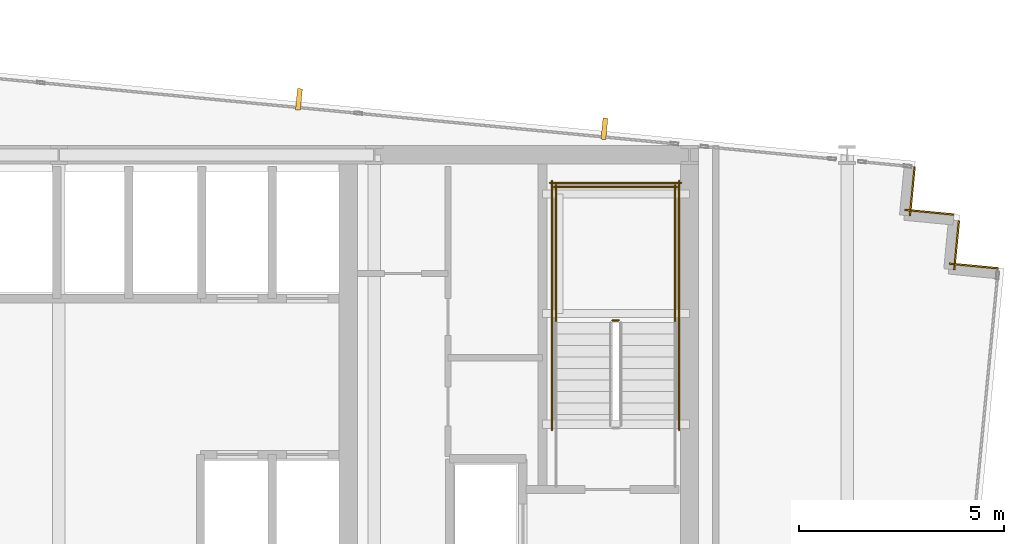
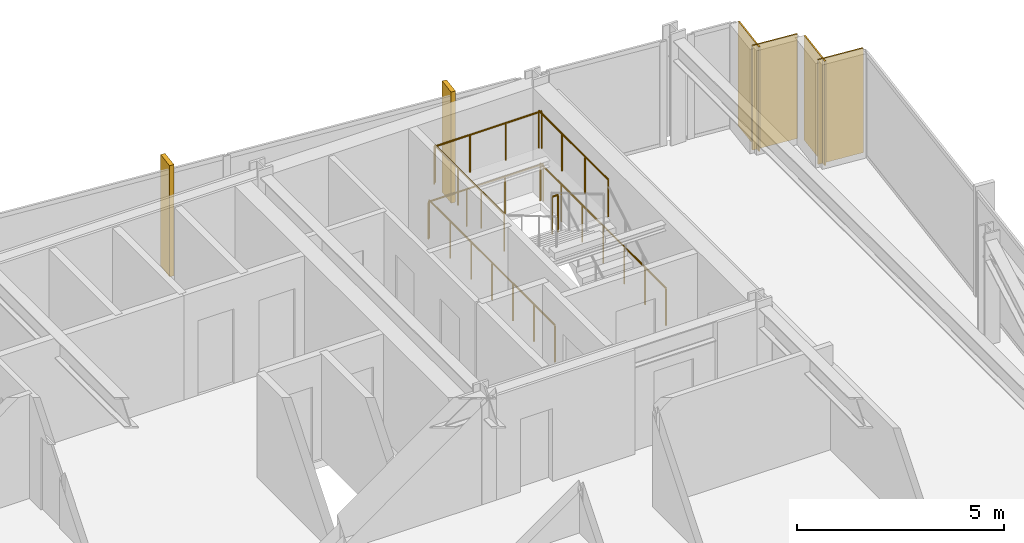
# One storey, part 36 of 36: 7 railings, 4 coverings, 2 shading devices.
"""IFC4 building model written with IfcOpenShell, lengths in metres."""

import ifcopenshell
import ifcopenshell.guid

model = None  # the IFC model being written
_history = None  # IfcOwnerHistory: only IFC2X3 demands one
_inside = {}  # id of a spatial element -> (the spatial element, [elements in it])
_under = {}  # id of a project, library or spatial element -> (it, [spatial elements below it])
_declared = {}  # id of a project -> (the project, [libraries it declares])
_typed = {}  # id of a type object -> (the type object, [elements of that type])
_made_of = {}  # id of a material, layer set ... -> (it, [elements and type objects made of it])


def new_model(schema):
    """Start an empty IFC model of exactly this schema.

    Asked for "IFC4X3", IfcOpenShell would pick the latest addendum, in which some entities
    have other attributes; the version numbers below select the first issue.
    IFC2X3 requires an IfcOwnerHistory on every rooted entity: one is made here for all.
    """
    global model, _history
    if schema == "IFC4X3":
        model = ifcopenshell.file(schema_version=(4, 3, 0, 0))
    else:
        model = ifcopenshell.file(schema=schema)
    _inside.clear()
    _under.clear()
    _declared.clear()
    _typed.clear()
    _made_of.clear()
    _history = None
    if model.schema == "IFC2X3":
        org = make("IfcOrganization", Name="unknown")
        user = make(
            "IfcPersonAndOrganization",
            ThePerson=make("IfcPerson", FamilyName="unknown"),
            TheOrganization=org,
        )
        app = make(
            "IfcApplication",
            ApplicationDeveloper=org,
            Version="unknown",
            ApplicationFullName="unknown",
            ApplicationIdentifier="unknown",
        )
        _history = make(
            "IfcOwnerHistory",
            OwningUser=user,
            OwningApplication=app,
            ChangeAction="ADDED",
            CreationDate=0,
        )
    return model


def make(cls, **values):
    """One entity of the class cls with the attributes given. An attribute that is None is left unset."""
    return model.create_entity(
        cls, **{name: value for name, value in values.items() if value is not None}
    )


def rooted(cls, **values):
    """An entity with a GlobalId (a new one), such as an element, a storey or a relation."""
    return make(cls, GlobalId=ifcopenshell.guid.new(), OwnerHistory=_history, **values)


def si_unit(unit_type, name, prefix=None):
    """IfcSIUnit, for example si_unit("LENGTHUNIT", "METRE", prefix="MILLI")."""
    return make("IfcSIUnit", UnitType=unit_type, Prefix=prefix, Name=name)


def assignment(units):
    """IfcUnitAssignment: the units of a project."""
    return None if units is None else make("IfcUnitAssignment", Units=units)


def point(xyz):
    """IfcCartesianPoint."""
    return None if xyz is None else make("IfcCartesianPoint", Coordinates=xyz)


def direction(xyz):
    """IfcDirection."""
    return None if xyz is None else make("IfcDirection", DirectionRatios=xyz)


def frame(location, z_axis=None, x_axis=None):
    """IfcAxis2Placement3D, a coordinate frame: its origin and axes. An axis left out is left unset."""
    return make(
        "IfcAxis2Placement3D",
        Location=point(location),
        Axis=direction(z_axis),
        RefDirection=direction(x_axis),
    )


def frame_2d(location, x_axis=None):
    """IfcAxis2Placement2D, a coordinate frame in the plane: its origin and x axis."""
    return make(
        "IfcAxis2Placement2D", Location=point(location), RefDirection=direction(x_axis)
    )


def origin():
    """The frame at (0, 0, 0) with its axes left unset."""
    return frame((0.0, 0.0, 0.0))


def origin_2d():
    """The frame at (0, 0) in the plane with its x axis left unset."""
    return frame_2d((0.0, 0.0))


def place(relative_to, where):
    """IfcLocalPlacement: puts the frame where relative to a parent placement (None: the world)."""
    return make(
        "IfcLocalPlacement", PlacementRelTo=relative_to, RelativePlacement=where
    )


def context(
    kind, dimensions, precision=None, world=None, true_north=None, identifier=None
):
    """IfcGeometricRepresentationContext, for example the 3D "Model" context."""
    return make(
        "IfcGeometricRepresentationContext",
        ContextIdentifier=identifier,
        ContextType=kind,
        CoordinateSpaceDimension=dimensions,
        Precision=precision,
        WorldCoordinateSystem=world,
        TrueNorth=true_north,
    )


def subcontext(parent, identifier, kind, view, scale=None):
    """IfcGeometricRepresentationSubContext, for example "Body" below "Model"."""
    return make(
        "IfcGeometricRepresentationSubContext",
        ContextIdentifier=identifier,
        ContextType=kind,
        ParentContext=parent,
        TargetScale=scale,
        TargetView=view,
    )


def project(units=None, contexts=None):
    """IfcProject with its units and contexts."""
    return rooted(
        "IfcProject",
        Name="project",
        RepresentationContexts=contexts,
        UnitsInContext=assignment(units),
    )


def spatial(cls, under=None, at=None, **own):
    """A site, building, storey or space (cls), placed at a placement, below another one or the project."""
    s = rooted(cls, ObjectPlacement=at, **own)
    if under is not None:
        _under.setdefault(under.id(), (under, []))[1].append(s)
    return s


def profile(cls, at=None, kind="AREA", **sizes):
    """A parametric profile (cls). Its sizes go by their IFC names, for example OverallWidth=200.0."""
    return make(cls, ProfileType=kind, Position=at, **sizes)


def rectangle(**sizes):
    """IfcRectangleProfileDef."""
    return profile("IfcRectangleProfileDef", **sizes)


def circle(**sizes):
    """IfcCircleProfileDef."""
    return profile("IfcCircleProfileDef", **sizes)


def extrude(swept, where, along, depth):
    """IfcExtrudedAreaSolid: the profile swept, set in the frame where, extruded along a direction by depth."""
    return make(
        "IfcExtrudedAreaSolid",
        SweptArea=swept,
        Position=where,
        ExtrudedDirection=direction(along),
        Depth=depth,
    )


def shape(context_of_items, identifier, shape_type, items):
    """IfcShapeRepresentation: the items that make up one representation, for example the "Body"."""
    return make(
        "IfcShapeRepresentation",
        ContextOfItems=context_of_items,
        RepresentationIdentifier=identifier,
        RepresentationType=shape_type,
        Items=items,
    )


def material(Name=None, Category=None):
    """IfcMaterial."""
    return make("IfcMaterial", Name=Name, Category=Category)


def layer(
    of_material, thickness, ventilated=None, Name=None, Category=None, Priority=None
):
    """IfcMaterialLayer: one layer of a wall or slab, of a material (None: an air gap)."""
    return make(
        "IfcMaterialLayer",
        Material=of_material,
        LayerThickness=thickness,
        IsVentilated=ventilated,
        Name=Name,
        Category=Category,
        Priority=Priority,
    )


def layer_set(layers, Name=None):
    """IfcMaterialLayerSet."""
    return make("IfcMaterialLayerSet", MaterialLayers=layers, LayerSetName=Name)


def made_of(thing, what):
    """Note that an element or type object is made of a material, layer set ...; save() writes the relation."""
    if what is not None:
        _made_of.setdefault(what.id(), (what, []))[1].append(thing)
    return thing


def type_object(cls, material=None, **own):
    """A type object (cls), such as IfcWallType, which elements share."""
    return made_of(rooted(cls, **own), material)


def element(
    cls,
    number,
    at=None,
    inside=None,
    cuts=None,
    type_object=None,
    material=None,
    context=None,
    identifier="Body",
    shape_type=None,
    held_by="IfcProductDefinitionShape",
    body=None,
    shapes=None,
    **own,
):
    """One element of the class cls, such as IfcWall. Its Tag is "e" and its number.

    at: its placement. inside: the storey or other place that contains it. cuts: it is an
    opening in that element (IfcRelVoidsElement). A single representation is given by context,
    identifier, shape_type and body (its items); several are given by shapes. held_by: the class
    of the entity that holds the representations. save() writes the other relations.
    """
    e = rooted(cls, Tag="e%d" % number, ObjectPlacement=at, **own)
    if body is not None:
        shapes = [shape(context, identifier, shape_type, body)]
    if shapes is not None:
        e.Representation = make(held_by, Representations=shapes)
    if inside is not None:
        _inside.setdefault(inside.id(), (inside, []))[1].append(e)
    if cuts is not None:
        rooted(
            "IfcRelVoidsElement", RelatingBuildingElement=cuts, RelatedOpeningElement=e
        )
    if type_object is not None:
        _typed.setdefault(type_object.id(), (type_object, []))[1].append(e)
    return made_of(e, material)


def aggregate(whole, parts):
    """IfcRelAggregates: a whole, such as a stair, and the parts it consists of."""
    return rooted("IfcRelAggregates", RelatingObject=whole, RelatedObjects=parts)


def save(model, path):
    """Write the relations noted so far, then the file.

    IfcRelAggregates (storeys below a building ...), IfcRelContainedInSpatialStructure (elements
    in a storey), IfcRelDefinesByType, IfcRelAssociatesMaterial and IfcRelDeclares: one each for
    every whole, place, type object, material and project.
    """
    for whole, parts in _under.values():
        aggregate(whole, parts)
    for where, things in _inside.values():
        rooted(
            "IfcRelContainedInSpatialStructure",
            RelatedElements=things,
            RelatingStructure=where,
        )
    for kind, things in _typed.values():
        rooted("IfcRelDefinesByType", RelatedObjects=things, RelatingType=kind)
    for what, things in _made_of.values():
        rooted("IfcRelAssociatesMaterial", RelatedObjects=things, RelatingMaterial=what)
    for by, libraries in _declared.values():
        rooted("IfcRelDeclares", RelatingContext=by, RelatedDefinitions=libraries)
    model.write(path)


model = new_model("IFC4")

# Units and contexts
model_context = context("Model", 3, precision=1e-05, world=origin(), true_north=direction((0.0, 1.0)))
body_context = subcontext(model_context, "Body", "Model", "MODEL_VIEW")
ifc_project = project(units=[si_unit("LENGTHUNIT", "METRE"), si_unit("AREAUNIT", "SQUARE_METRE"), si_unit("VOLUMEUNIT", "CUBIC_METRE"), si_unit("PLANEANGLEUNIT", "RADIAN"), si_unit("MASSUNIT", "GRAM", prefix="KILO")], contexts=[model_context])

# Site, building, storey
site_placement = place(None, origin())
site = spatial("IfcSite", under=ifc_project, at=site_placement, CompositionType="ELEMENT")
building_placement = place(site_placement, origin())
building = spatial("IfcBuilding", under=site, at=building_placement, Name="Yelkora Congress Tower", CompositionType="ELEMENT")
storey_placement = place(building_placement, frame((0.0, 0.0, 152.300048828125)))
storey = spatial("IfcBuildingStorey", under=building, at=storey_placement, Name="L41", CompositionType="ELEMENT", Elevation=152.300048828125)

# Coverings
ifc_material_1 = material(Name="Anatolian bush-hammered limestone", Category="masonry")
ifc_layer_1 = layer(ifc_material_1, 0.0400390625)
ifc_layer_set_1 = layer_set([ifc_layer_1], Name="Anatolian bush-hammered limestone")
covering_type = type_object("IfcCoveringType", Name="COV-CLAD-SPANDREL-40", PredefinedType="CLADDING", material=ifc_layer_set_1)
covering_1_placement = place(storey_placement, frame((59.2431640625, 45.909912109375, 0.0), z_axis=(0.0, 0.0, 1.0), x_axis=(-0.095836473879, -0.995397091755, 0.0)))
element("IfcCovering", 1, at=covering_1_placement, inside=storey, type_object=covering_type, Name="L41 Anatolian Limestone Cladding EW-L41-SR11", PredefinedType="CLADDING", context=body_context, shape_type="SweptSolid", body=[
    extrude(rectangle(XDim=1.199951171875, YDim=0.0400390625, at=frame_2d((0.60009765625, 0.0))), origin(), (0.0, 0.0, 1.0), 3.079833984375),
])
for number, where, z_axis, x_axis, name in (
    (2, (59.006591796875, 44.86279296875, 0.0), (0.0, 0.0, 1.0), (0.995398960025, -0.095817067274, 0.0), "L41 Anatolian Limestone Cladding EW-L41-SR12"),
    (3, (60.322509765625, 44.6005859375, 0.0), (0.0, 0.0, 1.0), (-0.095817067274, -0.995398960025, 0.0), "L41 Anatolian Limestone Cladding EW-L41-SR13"),
):
    element("IfcCovering", number, at=place(storey_placement, frame(where, z_axis=z_axis, x_axis=x_axis)), inside=storey, type_object=covering_type, Name=name, PredefinedType="CLADDING", context=body_context, shape_type="SweptSolid", body=[
        extrude(rectangle(XDim=1.2001953125, YDim=0.0400390625, at=frame_2d((0.60009765625, 0.0))), origin(), (0.0, 0.0, 1.0), 3.079833984375),
    ])
covering_2_placement = place(storey_placement, frame((60.086181640625, 43.55322265625, 0.0), z_axis=(0.0, 0.0, 1.0), x_axis=(0.995397091755, -0.095836473879, 0.0)))
element("IfcCovering", 4, at=covering_2_placement, inside=storey, type_object=covering_type, Name="L41 Anatolian Limestone Cladding EW-L41-SR14", PredefinedType="CLADDING", context=body_context, shape_type="SweptSolid", body=[
    extrude(rectangle(XDim=1.199951171875, YDim=0.0400390625, at=frame_2d((0.60009765625, 0.0))), origin(), (0.0, 0.0, 1.0), 3.079833984375),
])

# Railings
ifc_material_2 = material(Name="Painted galvanised steel stair well guard with vertical infill", Category="steel")
ifc_layer_2 = layer(ifc_material_2, 0.06005859375)
ifc_layer_set_2 = layer_set([ifc_layer_2], Name="Painted galvanised steel stair well guard with vertical infill")
railing_type = type_object("IfcRailingType", Name="RAIL-STAIR-GUARD-1120", PredefinedType="GUARDRAIL", material=ifc_layer_set_2)
railing_1_placement = place(storey_placement, frame((52.0400390625, 42.169921875, 1.64990234375)))
element("IfcRailing", 5, at=railing_1_placement, inside=storey, type_object=railing_type, Name="ST-02 L41 Stair Well Guardrail 2", PredefinedType="GUARDRAIL", context=body_context, shape_type="SweptSolid", body=[
    extrude(circle(Radius=0.02392578125, at=origin_2d()), frame((0.0, 0.0, 1.09619140625), z_axis=(-1.0, 0.0, 0.0), x_axis=(0.0, -1.0, 0.0)), (0.0, 0.0, 1.0), 0.16015625),
    extrude(circle(Radius=0.02099609375, at=origin_2d()), origin(), (0.0, 0.0, 1.0), 1.072021484375),
    extrude(circle(Radius=0.02099609375, at=origin_2d()), frame((-0.16015625, 0.0, 0.0)), (0.0, 0.0, 1.0), 1.072021484375),
])
for number, where, name in (
    (6, (53.409912109375, 42.1201171875, 1.64990234375), "ST-02 L41 Stair Well Guardrail 3"),
    (7, (50.510009765625, 42.1201171875, 1.64990234375), "ST-02 L41 Stair Well Guardrail 4"),
):
    element("IfcRailing", number, at=place(storey_placement, frame(where)), inside=storey, type_object=railing_type, Name=name, PredefinedType="GUARDRAIL", context=body_context, shape_type="SweptSolid", body=[
        extrude(circle(Radius=0.02392578125, at=origin_2d()), frame((0.0, 0.0, 1.09619140625), z_axis=(0.0, 1.0, 0.0), x_axis=(-1.0, 0.0, 0.0)), (0.0, 0.0, 1.0), 3.349853515625),
        extrude(circle(Radius=0.02099609375, at=origin_2d()), origin(), (0.0, 0.0, 1.0), 1.072021484375),
        extrude(circle(Radius=0.02099609375, at=origin_2d()), frame((0.0, 1.11669921875, 0.0)), (0.0, 0.0, 1.0), 1.072021484375),
        extrude(circle(Radius=0.02099609375, at=origin_2d()), frame((0.0, 2.233154296875, 0.0)), (0.0, 0.0, 1.0), 1.072021484375),
        extrude(circle(Radius=0.02099609375, at=origin_2d()), frame((0.0, 3.349853515625, 0.0)), (0.0, 0.0, 1.0), 1.072021484375),
    ])
railing_2_placement = place(storey_placement, frame((53.4599609375, 45.419921875, 1.64990234375)))
element("IfcRailing", 8, at=railing_2_placement, inside=storey, type_object=railing_type, Name="ST-02 L41 Stair Well Guardrail 5", PredefinedType="GUARDRAIL", context=body_context, shape_type="SweptSolid", body=[
    extrude(circle(Radius=0.02392578125, at=origin_2d()), frame((0.0, 0.0, 1.09619140625), z_axis=(-1.0, 0.0, 0.0), x_axis=(0.0, -1.0, 0.0)), (0.0, 0.0, 1.0), 3.0),
    extrude(circle(Radius=0.02099609375, at=origin_2d()), origin(), (0.0, 0.0, 1.0), 1.072021484375),
    extrude(circle(Radius=0.02099609375, at=origin_2d()), frame((-1.0, 0.0, 0.0)), (0.0, 0.0, 1.0), 1.072021484375),
    extrude(circle(Radius=0.02099609375, at=origin_2d()), frame((-2.0, 0.0, 0.0)), (0.0, 0.0, 1.0), 1.072021484375),
    extrude(circle(Radius=0.02099609375, at=origin_2d()), frame((-3.0, 0.0, 0.0)), (0.0, 0.0, 1.0), 1.072021484375),
])
for number, where, name in (
    (9, (53.510009765625, 39.5, 0.0), "ST-02 L41 Stair Well Guardrail 10"),
    (10, (50.409912109375, 39.5, 0.0), "ST-02 L41 Stair Well Guardrail 11"),
):
    element("IfcRailing", number, at=place(storey_placement, frame(where)), inside=storey, type_object=railing_type, Name=name, PredefinedType="GUARDRAIL", context=body_context, shape_type="SweptSolid", body=[
        extrude(circle(Radius=0.02392578125, at=origin_2d()), frame((0.0, 0.0, 1.09619140625), z_axis=(0.0, 1.0, 0.0), x_axis=(-1.0, 0.0, 0.0)), (0.0, 0.0, 1.0), 6.070068359375),
        extrude(circle(Radius=0.02099609375, at=origin_2d()), origin(), (0.0, 0.0, 1.0), 1.072021484375),
        extrude(circle(Radius=0.02099609375, at=origin_2d()), frame((0.0, 1.01171875, 0.0)), (0.0, 0.0, 1.0), 1.072021484375),
        extrude(circle(Radius=0.02099609375, at=origin_2d()), frame((0.0, 2.0234375, 0.0)), (0.0, 0.0, 1.0), 1.072021484375),
        extrude(circle(Radius=0.02099609375, at=origin_2d()), frame((0.0, 3.03515625, 0.0)), (0.0, 0.0, 1.0), 1.072021484375),
        extrude(circle(Radius=0.02099609375, at=origin_2d()), frame((0.0, 4.046630859375, 0.0)), (0.0, 0.0, 1.0), 1.072021484375),
        extrude(circle(Radius=0.02099609375, at=origin_2d()), frame((0.0, 5.058349609375, 0.0)), (0.0, 0.0, 1.0), 1.072021484375),
        extrude(circle(Radius=0.02099609375, at=origin_2d()), frame((0.0, 6.070068359375, 0.0)), (0.0, 0.0, 1.0), 1.072021484375),
    ])
railing_3_placement = place(storey_placement, frame((53.56005859375, 45.52001953125, 0.0)))
element("IfcRailing", 11, at=railing_3_placement, inside=storey, type_object=railing_type, Name="ST-02 L41 Stair Well Guardrail 12", PredefinedType="GUARDRAIL", context=body_context, shape_type="SweptSolid", body=[
    extrude(circle(Radius=0.02392578125, at=origin_2d()), frame((0.0, 0.0, 1.09619140625), z_axis=(-1.0, 0.0, 0.0), x_axis=(0.0, -1.0, 0.0)), (0.0, 0.0, 1.0), 3.199951171875),
    extrude(circle(Radius=0.02099609375, at=origin_2d()), origin(), (0.0, 0.0, 1.0), 1.072021484375),
    extrude(circle(Radius=0.02099609375, at=origin_2d()), frame((-1.066650390625, 0.0, 0.0)), (0.0, 0.0, 1.0), 1.072021484375),
    extrude(circle(Radius=0.02099609375, at=origin_2d()), frame((-2.13330078125, 0.0, 0.0)), (0.0, 0.0, 1.0), 1.072021484375),
    extrude(circle(Radius=0.02099609375, at=origin_2d()), frame((-3.199951171875, 0.0, 0.0)), (0.0, 0.0, 1.0), 1.072021484375),
])

# Shading devices
ifc_material_3 = material(Name="Champagne anodised aluminium", Category="aluminium")
ifc_layer_3 = layer(ifc_material_3, 3.300048828125)
ifc_layer_set_3 = layer_set([ifc_layer_3], Name="Champagne anodised aluminium")
shading_device_type = type_object("IfcShadingDeviceType", Name="SHD-FIN-ALU-520", PredefinedType="USERDEFINED", material=ifc_layer_set_3)
for number, where, z_axis, x_axis, name in (
    (12, (44.248291015625, 47.5546875, -0.0302734375), (0.0, 0.0, 1.0), (0.995396198367, -0.09584575252, 0.0), "L41 Vertical Anodised Solar Fin 10-5"),
    (13, (51.68798828125, 46.83837890625, -0.0302734375), (0.0, 0.0, 1.0), (0.995396198367, -0.09584575252, 0.0), "L41 Vertical Anodised Solar Fin 10-6"),
):
    element("IfcShadingDevice", number, at=place(storey_placement, frame(where, z_axis=z_axis, x_axis=x_axis)), inside=storey, type_object=shading_device_type, Name=name, ObjectType="FIN", PredefinedType="USERDEFINED", context=body_context, shape_type="SweptSolid", body=[
        extrude(rectangle(XDim=0.1201171875, YDim=0.52001953125, at=origin_2d()), origin(), (0.0, 0.0, 1.0), 3.280029296875),
    ])

save(model, "model.ifc")
